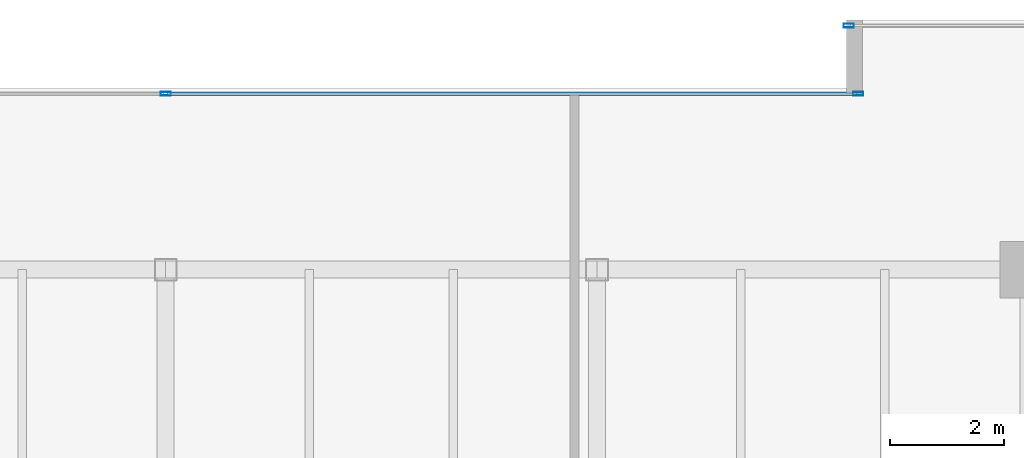
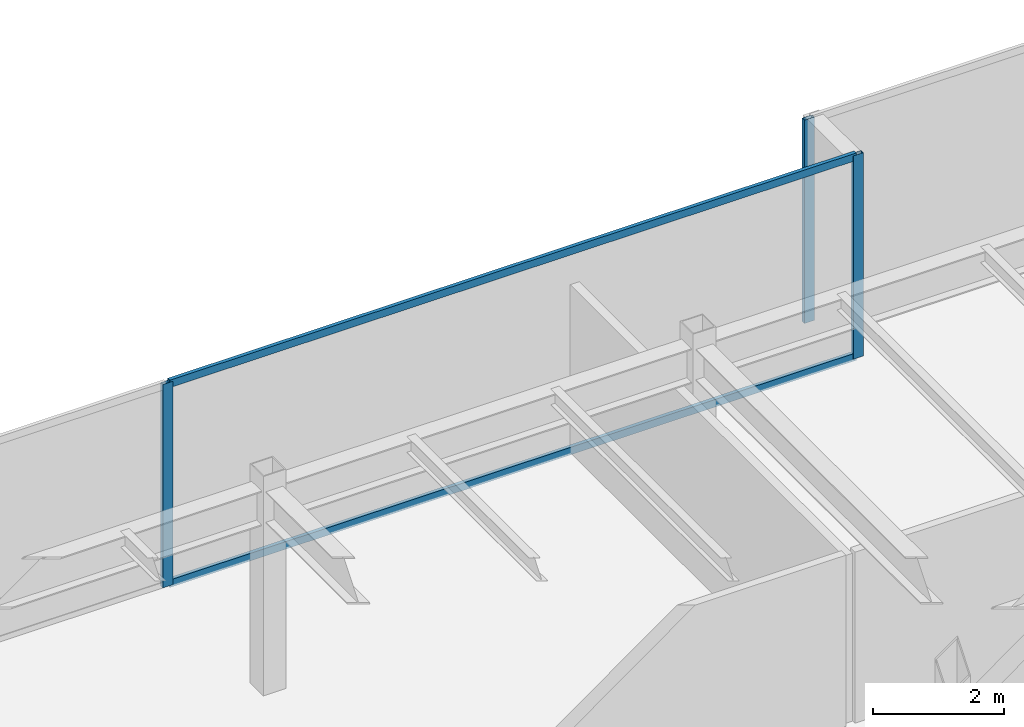
# One storey, part 19 of 33: 5 members, 2 elements without a shape of their own.
"""IFC4 building model written with IfcOpenShell, lengths in metres."""

from ifc_helpers import new_model, si_unit, direction, frame, origin, origin_2d, place, context, subcontext, project, spatial, hollow_rectangle, extrude, source, transform, mapped, material, layer, layer_set, material_profile, profile_set, type_object, type_shapes, element, aggregate, save


model = new_model("IFC4")

# Units and contexts
model_context = context("Model", 3, precision=1e-05, world=origin(), true_north=direction((0.0, 1.0)))
body_context = subcontext(model_context, "Body", "Model", "MODEL_VIEW")
ifc_project = project(units=[si_unit("LENGTHUNIT", "METRE"), si_unit("AREAUNIT", "SQUARE_METRE"), si_unit("VOLUMEUNIT", "CUBIC_METRE"), si_unit("PLANEANGLEUNIT", "RADIAN"), si_unit("MASSUNIT", "GRAM", prefix="KILO")], contexts=[model_context])

# Site, building, storey
site_placement = place(None, origin())
site = spatial("IfcSite", under=ifc_project, at=site_placement, CompositionType="ELEMENT")
building_placement = place(site_placement, origin())
building = spatial("IfcBuilding", under=site, at=building_placement, Name="Haelvirn Gate Laboratories", CompositionType="ELEMENT")
storey_placement = place(building_placement, frame((0.0, 0.0, 238.300048828125)))
storey = spatial("IfcBuildingStorey", under=building, at=storey_placement, Name="L57", CompositionType="ELEMENT", Elevation=238.300048828125)

# Curtain wall, members
ifc_material_1 = material(Name="Anodised bronze unitised aluminium & triple low-E glass", Category="aluminium")
ifc_layer = layer(ifc_material_1, 0.176025390625, Name="CW-SYS-4")
ifc_layer_set = layer_set([ifc_layer], Name="Anodised bronze unitised aluminium & triple low-E glass")
curtain_wall_type = type_object("IfcCurtainWallType", Name="CW-SYS-4", PredefinedType="NOTDEFINED", material=ifc_layer_set)
curtain_wall_1_placement = place(storey_placement, origin())
curtain_wall_1 = element("IfcCurtainWall", 1, at=curtain_wall_1_placement, inside=storey, type_object=curtain_wall_type, Name="L57 Unitised Curtain Wall CW-L57-P0-E12-1", PredefinedType="NOTDEFINED")
ifc_material_2 = material(Name="Extruded aluminium 6063-T6 (anodised bronze)", Category="aluminium")
ifc_material_profile_1 = material_profile(ifc_material_2, hollow_rectangle(XDim=0.06494140625, YDim=0.139892578125, WallThickness=0.00390625, at=origin_2d()), Name="CWT-140x65x4")
ifc_profile_set_1 = profile_set([ifc_material_profile_1], Name="Extruded aluminium 6063-T6 (anodised bronze)")
member_type_1 = type_object("IfcMemberType", Name="CWT-T140", PredefinedType="USERDEFINED", material=ifc_profile_set_1)
shared_shape_1 = source(origin(), body_context, "Body", "SweptSolid", [
    extrude(hollow_rectangle(XDim=0.06494140625, YDim=0.139892578125, WallThickness=0.00390625, at=origin_2d()), origin(), (0.0, 0.0, 1.0), 12.135009765625),
])
type_shapes(member_type_1, [shared_shape_1])
member_1_placement = place(storey_placement, frame((37.43505859375, 44.699951171875, 0.032470703125), z_axis=(1.0, 0.0, 0.0), x_axis=(0.0, 1.0, 0.0)))
member_1 = element("IfcMember", 2, at=member_1_placement, type_object=member_type_1, Name="CW4 transom 2.1", ObjectType="TRANSOM", PredefinedType="USERDEFINED", context=body_context, shape_type="MappedRepresentation", body=[
    mapped(shared_shape_1, transform((0.0, 0.0, 0.0), scale=1.0)),
])
member_2_placement = place(storey_placement, frame((37.43505859375, 44.699951171875, 3.767333984375), z_axis=(1.0, 0.0, 0.0), x_axis=(0.0, 1.0, 0.0)))
member_2 = element("IfcMember", 3, at=member_2_placement, type_object=member_type_1, Name="CW4 transom 2.2", ObjectType="TRANSOM", PredefinedType="USERDEFINED", context=body_context, shape_type="MappedRepresentation", body=[
    mapped(shared_shape_1, transform((0.0, 0.0, 0.0), scale=1.0)),
])

# Curtain wall, member
curtain_wall_2_placement = place(storey_placement, origin())
curtain_wall_2 = element("IfcCurtainWall", 4, at=curtain_wall_2_placement, inside=storey, type_object=curtain_wall_type, Name="L57 Unitised Curtain Wall CW-L57-P0-E10-1", PredefinedType="NOTDEFINED")
ifc_material_profile_2 = material_profile(ifc_material_2, hollow_rectangle(XDim=0.070068359375, YDim=0.179931640625, WallThickness=0.0048828125, at=origin_2d()), Name="CWM-180x70x5")
ifc_profile_set_2 = profile_set([ifc_material_profile_2], Name="Extruded aluminium 6063-T6 (anodised bronze)")
member_type_2 = type_object("IfcMemberType", Name="CWM-T180", PredefinedType="MULLION", material=ifc_profile_set_2)
shared_shape_2 = source(origin(), body_context, "Body", "SweptSolid", [
    extrude(hollow_rectangle(XDim=0.070068359375, YDim=0.179931640625, WallThickness=0.0048828125, at=origin_2d()), origin(), (0.0, 0.0, 1.0), 3.800048828125),
])
type_shapes(member_type_2, [shared_shape_2])
member_3_placement = place(storey_placement, frame((49.43505859375, 45.89990234375, 0.0), z_axis=(0.0, 0.0, 1.0), x_axis=(0.0, 1.0, 0.0)))
member_3 = element("IfcMember", 5, at=member_3_placement, type_object=member_type_2, Name="CW4 mullion 1", PredefinedType="MULLION", context=body_context, shape_type="MappedRepresentation", body=[
    mapped(shared_shape_2, transform((0.0, 0.0, 0.0), scale=1.0)),
])
aggregate(curtain_wall_2, [member_3])

# Member
member_4_placement = place(storey_placement, frame((37.39990234375, 44.699951171875, 0.0), z_axis=(0.0, 0.0, 1.0), x_axis=(0.0, 1.0, 0.0)))
member_4 = element("IfcMember", 6, at=member_4_placement, type_object=member_type_2, Name="CW4 mullion 2", PredefinedType="MULLION", context=body_context, shape_type="MappedRepresentation", body=[
    mapped(shared_shape_2, transform((0.0, 0.0, 0.0), scale=1.0)),
])

member_5_placement = place(storey_placement, frame((49.60498046875, 44.699951171875, 0.0), z_axis=(0.0, 0.0, 1.0), x_axis=(0.0, 1.0, 0.0)))
member_5 = element("IfcMember", 7, at=member_5_placement, type_object=member_type_2, Name="CW4 mullion 3", PredefinedType="MULLION", context=body_context, shape_type="MappedRepresentation", body=[
    mapped(shared_shape_2, transform((0.0, 0.0, 0.0), scale=1.0)),
])

aggregate(curtain_wall_1, [member_4, member_5, member_1, member_2])

save(model, "model.ifc")
